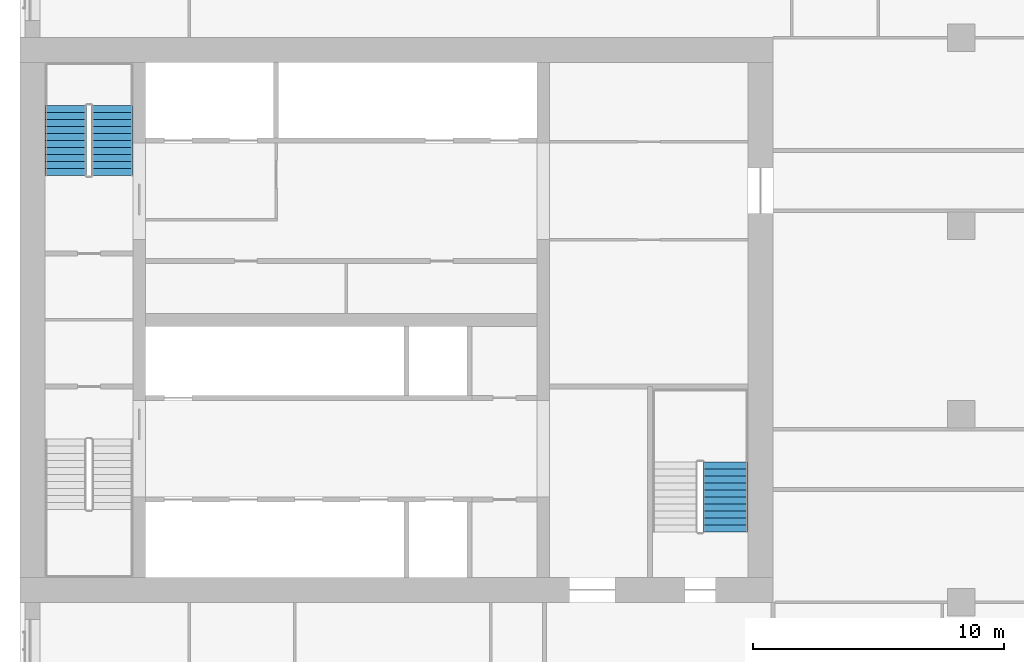
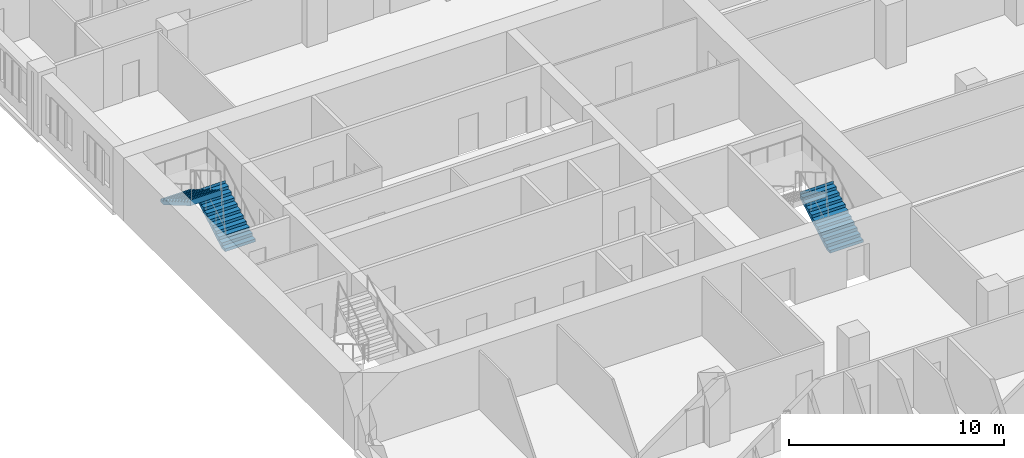
# One storey, part 13 of 14: 3 stair flights, 2 elements without a shape of their own.
"""IFC4 building model written with IfcOpenShell, lengths in metres."""

from ifc_helpers import new_model, si_unit, direction, frame, origin, place, context, subcontext, project, spatial, polyline, outline, extrude, material, type_object, element, aggregate, save


model = new_model("IFC4")

# Units and contexts
model_context = context("Model", 3, precision=1e-05, world=origin(), true_north=direction((0.0, 1.0)))
body_context = subcontext(model_context, "Body", "Model", "MODEL_VIEW")
ifc_project = project(units=[si_unit("LENGTHUNIT", "METRE"), si_unit("AREAUNIT", "SQUARE_METRE"), si_unit("VOLUMEUNIT", "CUBIC_METRE"), si_unit("PLANEANGLEUNIT", "RADIAN"), si_unit("MASSUNIT", "GRAM", prefix="KILO")], contexts=[model_context])

# Site, building, storey
site_placement = place(None, origin())
site = spatial("IfcSite", under=ifc_project, at=site_placement, CompositionType="ELEMENT")
building_placement = place(site_placement, origin())
building = spatial("IfcBuilding", under=site, at=building_placement, Name="Tamorin Gate", CompositionType="ELEMENT")
storey_placement = place(building_placement, frame((0.0, 0.0, 104.300048828125)))
storey = spatial("IfcBuildingStorey", under=building, at=storey_placement, Name="L25", CompositionType="ELEMENT", Elevation=104.300048828125)

# Stair, stair flights
ifc_material = material(Name="Concrete C40/50", Category="concrete")
stair_type = type_object("IfcStairType", Name="Exit stair", PredefinedType="HALF_TURN_STAIR", material=ifc_material)
stair_1_placement = place(storey_placement, origin())
stair_1 = element("IfcStair", 1, at=stair_1_placement, inside=storey, type_object=stair_type, Name="L25 stair ST2", PredefinedType="HALF_TURN_STAIR")
stair_flight_type = type_object("IfcStairFlightType", Name="Exit stair flight", PredefinedType="STRAIGHT", material=ifc_material)
stair_flight_1_placement = place(storey_placement, frame((33.675048828125, 77.0, 0.0), z_axis=(0.0, 0.0, 1.0), x_axis=(0.0, 1.0, 0.0)))
stair_flight_1 = element("IfcStairFlight", 2, at=stair_flight_1_placement, type_object=stair_flight_type, Name="ST2 flight 1", NumberOfRisers=11, NumberOfTreads=10, PredefinedType="STRAIGHT", RiserHeight=0.163636364, TreadLength=0.28, context=body_context, shape_type="SweptSolid", body=[
    extrude(outline(polyline([(-0.00048828125, 0.0), (-0.00048828125, 0.001708984375), (-0.00048828125, 0.003173828125), (-0.00048828125, 0.0048828125), (-0.00048828125, 0.006591796875), (-0.00048828125, 0.008056640625), (-0.00048828125, 0.009765625), (-0.00048828125, 0.01123046875), (-0.00048828125, 0.012939453125), (-0.00048828125, 0.0146484375), (-0.00048828125, 0.01611328125), (-0.00048828125, 0.017822265625), (-0.00048828125, 0.01953125), (-0.00048828125, 0.02099609375), (-0.00048828125, 0.022705078125), (-0.00048828125, 0.0244140625), (-0.00048828125, 0.02587890625), (-0.00048828125, 0.027587890625), (-0.00048828125, 0.029052734375), (-0.00048828125, 0.03076171875), (-0.00048828125, 0.032470703125), (-0.00048828125, 0.033935546875), (-0.00048828125, 0.03564453125), (-0.00048828125, 0.037353515625), (-0.00048828125, 0.038818359375), (-0.00048828125, 0.04052734375), (-0.00048828125, 0.042236328125), (-0.00048828125, 0.043701171875), (-0.00048828125, 0.04541015625), (-0.00048828125, 0.046875), (-0.00048828125, 0.048583984375), (-0.00048828125, 0.05029296875), (-0.00048828125, 0.0517578125), (-0.00048828125, 0.053466796875), (-0.00048828125, 0.05517578125), (-0.00048828125, 0.056640625), (-0.00048828125, 0.058349609375), (-0.00048828125, 0.06005859375), (-0.00048828125, 0.0615234375), (-0.00048828125, 0.063232421875), (-0.00048828125, 0.064697265625), (-0.00048828125, 0.06640625), (-0.00048828125, 0.068115234375), (-0.00048828125, 0.069580078125), (-0.00048828125, 0.0712890625), (-0.00048828125, 0.072998046875), (-0.00048828125, 0.074462890625), (-0.00048828125, 0.076171875), (-0.00048828125, 0.077880859375), (-0.00048828125, 0.079345703125), (-0.00048828125, 0.0810546875), (-0.00048828125, 0.08251953125), (-0.00048828125, 0.084228515625), (-0.00048828125, 0.0859375), (-0.00048828125, 0.08740234375), (-0.00048828125, 0.089111328125), (-0.00048828125, 0.0908203125), (-0.00048828125, 0.09228515625), (-0.00048828125, 0.093994140625), (-0.00048828125, 0.095703125), (-0.00048828125, 0.09716796875), (-0.00048828125, 0.098876953125), (-0.00048828125, 0.100341796875), (-0.00048828125, 0.10205078125), (-0.00048828125, 0.103759765625), (-0.00048828125, 0.105224609375), (-0.00048828125, 0.10693359375), (-0.00048828125, 0.108642578125), (-0.00048828125, 0.110107421875), (-0.00048828125, 0.11181640625), (-0.00048828125, 0.113525390625), (-0.00048828125, 0.114990234375), (-0.00048828125, 0.11669921875), (-0.00048828125, 0.1181640625), (-0.00048828125, 0.119873046875), (-0.00048828125, 0.12158203125), (-0.00048828125, 0.123046875), (-0.00048828125, 0.124755859375), (-0.00048828125, 0.12646484375), (-0.00048828125, 0.1279296875), (-0.00048828125, 0.129638671875), (-0.00048828125, 0.13134765625), (-0.00048828125, 0.1328125), (-0.00048828125, 0.134521484375), (-0.00048828125, 0.135986328125), (-0.00048828125, 0.1376953125), (-0.00048828125, 0.139404296875), (-0.00048828125, 0.140869140625), (-0.00048828125, 0.142578125), (-0.00048828125, 0.144287109375), (-0.00048828125, 0.145751953125), (-0.00048828125, 0.1474609375), (-0.00048828125, 0.149169921875), (-0.00048828125, 0.150634765625), (-0.00048828125, 0.15234375), (-0.00048828125, 0.15380859375), (-0.00048828125, 0.155517578125), (-0.00048828125, 0.1572265625), (-0.00048828125, 0.15869140625), (-0.00048828125, 0.160400390625), (-0.00048828125, 0.162109375), (-0.00048828125, 0.16357421875), (0.280029296875, 0.16357421875), (0.280029296875, 0.327392578125), (0.56005859375, 0.327392578125), (0.56005859375, 0.490966796875), (0.840087890625, 0.490966796875), (0.840087890625, 0.654541015625), (1.1201171875, 0.654541015625), (1.1201171875, 0.818115234375), (1.39990234375, 0.818115234375), (1.39990234375, 0.98193359375), (1.679931640625, 0.98193359375), (1.679931640625, 1.1455078125), (1.9599609375, 1.1455078125), (1.9599609375, 1.30908203125), (2.239990234375, 1.30908203125), (2.239990234375, 1.47265625), (2.52001953125, 1.47265625), (2.52001953125, 1.636474609375), (2.800048828125, 1.636474609375), (2.800048828125, 1.800048828125), (2.800537109375, 1.800048828125), (2.800537109375, 1.796630859375), (2.800537109375, 1.793212890625), (2.800537109375, 1.7900390625), (2.800537109375, 1.78662109375), (2.800537109375, 1.783203125), (2.800537109375, 1.780029296875), (2.800537109375, 1.776611328125), (2.800537109375, 1.773193359375), (2.800537109375, 1.77001953125), (2.800537109375, 1.7666015625), (2.800537109375, 1.76318359375), (2.800537109375, 1.760009765625), (2.800537109375, 1.756591796875), (2.800537109375, 1.753173828125), (2.800537109375, 1.75), (2.800537109375, 1.74658203125), (2.800537109375, 1.7431640625), (2.800537109375, 1.739990234375), (2.800537109375, 1.736572265625), (2.800537109375, 1.733154296875), (2.800537109375, 1.72998046875), (2.800537109375, 1.7265625), (2.800537109375, 1.72314453125), (2.800537109375, 1.719970703125), (2.800537109375, 1.716552734375), (2.800537109375, 1.713134765625), (2.800537109375, 1.7099609375), (2.800537109375, 1.70654296875), (2.800537109375, 1.703125), (2.800537109375, 1.69970703125), (2.800537109375, 1.696533203125), (2.800537109375, 1.693115234375), (2.800537109375, 1.689697265625), (2.800537109375, 1.6865234375), (2.800537109375, 1.68310546875), (2.800537109375, 1.6796875), (2.800537109375, 1.676513671875), (2.800537109375, 1.673095703125), (2.800537109375, 1.669677734375), (2.800537109375, 1.66650390625), (2.800537109375, 1.6630859375), (2.800537109375, 1.65966796875), (2.800537109375, 1.656494140625), (2.800537109375, 1.653076171875), (2.800537109375, 1.649658203125), (2.800537109375, 1.646484375), (2.800537109375, 1.64306640625), (2.800537109375, 1.6396484375), (2.800537109375, 1.636474609375), (2.800537109375, 1.633056640625), (2.800537109375, 1.629638671875), (2.800537109375, 1.62646484375), (2.800537109375, 1.623046875), (2.800537109375, 1.61962890625), (2.800537109375, 1.616455078125), (2.800537109375, 1.613037109375), (2.800537109375, 1.609619140625), (2.800537109375, 1.6064453125), (2.800537109375, 1.60302734375), (2.800537109375, 1.599609375), (2.800537109375, 1.59619140625), (2.800537109375, 1.593017578125), (2.800537109375, 1.589599609375), (2.800537109375, 1.586181640625), (2.800537109375, 1.5830078125), (2.800537109375, 1.57958984375), (2.800537109375, 1.576171875), (2.800537109375, 1.572998046875), (2.800537109375, 1.569580078125), (2.800537109375, 1.566162109375), (2.800537109375, 1.56298828125), (2.800537109375, 1.5595703125), (2.800537109375, 1.55615234375), (2.800537109375, 1.552978515625), (2.800537109375, 1.549560546875), (2.800537109375, 1.546142578125), (2.800537109375, 1.54296875), (2.800537109375, 1.53955078125), (2.800537109375, 1.5361328125), (2.800537109375, 1.532958984375), (2.800537109375, 1.529541015625), (2.800537109375, 1.526123046875), (2.800537109375, 1.52294921875), (2.800537109375, 1.51953125), (2.800537109375, 1.51611328125), (2.800537109375, 1.512939453125), (2.800537109375, 1.509521484375), (2.800537109375, 1.506103515625), (2.800537109375, 1.5029296875), (2.800537109375, 1.49951171875), (2.800537109375, 1.49609375), (2.800537109375, 1.49267578125), (2.800537109375, 1.489501953125), (2.800537109375, 1.486083984375), (2.800537109375, 1.482666015625), (2.800537109375, 1.4794921875), (2.800537109375, 1.47607421875), (2.800537109375, 1.47265625), (2.800537109375, 1.469482421875), (2.800537109375, 1.466064453125), (2.800537109375, 1.462646484375), (2.800048828125, 1.462646484375), (0.297119140625, 0.0), (-0.00048828125, 0.0)])), frame((0.0, 0.824951171875, 0.0), z_axis=(0.0, -1.0, 0.0), x_axis=(1.0, 0.0, 0.0)), (0.0, 0.0, 1.0), 1.64990234375),
])
stair_flight_2_placement = place(storey_placement, frame((31.824951171875, 79.800048828125, 1.800048828125), z_axis=(0.0, 0.0, 1.0), x_axis=(0.0, -1.0, 0.0)))
stair_flight_2 = element("IfcStairFlight", 3, at=stair_flight_2_placement, type_object=stair_flight_type, Name="ST2 flight 2", NumberOfRisers=11, NumberOfTreads=10, PredefinedType="STRAIGHT", RiserHeight=0.163636364, TreadLength=0.28, context=body_context, shape_type="SweptSolid", body=[
    extrude(outline(polyline([(-0.00048828125, 0.0), (-0.00048828125, 0.001708984375), (-0.00048828125, 0.003173828125), (-0.00048828125, 0.0048828125), (-0.00048828125, 0.006591796875), (-0.00048828125, 0.008056640625), (-0.00048828125, 0.009765625), (-0.00048828125, 0.01123046875), (-0.00048828125, 0.012939453125), (-0.00048828125, 0.0146484375), (-0.00048828125, 0.01611328125), (-0.00048828125, 0.017822265625), (-0.00048828125, 0.01953125), (-0.00048828125, 0.02099609375), (-0.00048828125, 0.022705078125), (-0.00048828125, 0.0244140625), (-0.00048828125, 0.02587890625), (-0.00048828125, 0.027587890625), (-0.00048828125, 0.029052734375), (-0.00048828125, 0.03076171875), (-0.00048828125, 0.032470703125), (-0.00048828125, 0.033935546875), (-0.00048828125, 0.03564453125), (-0.00048828125, 0.037353515625), (-0.00048828125, 0.038818359375), (-0.00048828125, 0.04052734375), (-0.00048828125, 0.042236328125), (-0.00048828125, 0.043701171875), (-0.00048828125, 0.04541015625), (-0.00048828125, 0.046875), (-0.00048828125, 0.048583984375), (-0.00048828125, 0.05029296875), (-0.00048828125, 0.0517578125), (-0.00048828125, 0.053466796875), (-0.00048828125, 0.05517578125), (-0.00048828125, 0.056640625), (-0.00048828125, 0.058349609375), (-0.00048828125, 0.06005859375), (-0.00048828125, 0.0615234375), (-0.00048828125, 0.063232421875), (-0.00048828125, 0.064697265625), (-0.00048828125, 0.06640625), (-0.00048828125, 0.068115234375), (-0.00048828125, 0.069580078125), (-0.00048828125, 0.0712890625), (-0.00048828125, 0.072998046875), (-0.00048828125, 0.074462890625), (-0.00048828125, 0.076171875), (-0.00048828125, 0.077880859375), (-0.00048828125, 0.079345703125), (-0.00048828125, 0.0810546875), (-0.00048828125, 0.08251953125), (-0.00048828125, 0.084228515625), (-0.00048828125, 0.0859375), (-0.00048828125, 0.08740234375), (-0.00048828125, 0.089111328125), (-0.00048828125, 0.0908203125), (-0.00048828125, 0.09228515625), (-0.00048828125, 0.093994140625), (-0.00048828125, 0.095703125), (-0.00048828125, 0.09716796875), (-0.00048828125, 0.098876953125), (-0.00048828125, 0.100341796875), (-0.00048828125, 0.10205078125), (-0.00048828125, 0.103759765625), (-0.00048828125, 0.105224609375), (-0.00048828125, 0.10693359375), (-0.00048828125, 0.108642578125), (-0.00048828125, 0.110107421875), (-0.00048828125, 0.11181640625), (-0.00048828125, 0.113525390625), (-0.00048828125, 0.114990234375), (-0.00048828125, 0.11669921875), (-0.00048828125, 0.1181640625), (-0.00048828125, 0.119873046875), (-0.00048828125, 0.12158203125), (-0.00048828125, 0.123046875), (-0.00048828125, 0.124755859375), (-0.00048828125, 0.12646484375), (-0.00048828125, 0.1279296875), (-0.00048828125, 0.129638671875), (-0.00048828125, 0.13134765625), (-0.00048828125, 0.1328125), (-0.00048828125, 0.134521484375), (-0.00048828125, 0.135986328125), (-0.00048828125, 0.1376953125), (-0.00048828125, 0.139404296875), (-0.00048828125, 0.140869140625), (-0.00048828125, 0.142578125), (-0.00048828125, 0.144287109375), (-0.00048828125, 0.145751953125), (-0.00048828125, 0.1474609375), (-0.00048828125, 0.149169921875), (-0.00048828125, 0.150634765625), (-0.00048828125, 0.15234375), (-0.00048828125, 0.15380859375), (-0.00048828125, 0.155517578125), (-0.00048828125, 0.1572265625), (-0.00048828125, 0.15869140625), (-0.00048828125, 0.160400390625), (-0.00048828125, 0.162109375), (-0.00048828125, 0.16357421875), (0.280029296875, 0.16357421875), (0.280029296875, 0.327392578125), (0.56005859375, 0.327392578125), (0.56005859375, 0.490966796875), (0.840087890625, 0.490966796875), (0.840087890625, 0.654541015625), (1.1201171875, 0.654541015625), (1.1201171875, 0.818115234375), (1.39990234375, 0.818115234375), (1.39990234375, 0.98193359375), (1.679931640625, 0.98193359375), (1.679931640625, 1.1455078125), (1.9599609375, 1.1455078125), (1.9599609375, 1.30908203125), (2.239990234375, 1.30908203125), (2.239990234375, 1.47265625), (2.52001953125, 1.47265625), (2.52001953125, 1.636474609375), (2.800048828125, 1.636474609375), (2.800048828125, 1.800048828125), (2.800537109375, 1.800048828125), (2.800537109375, 1.796630859375), (2.800537109375, 1.793212890625), (2.800537109375, 1.7900390625), (2.800537109375, 1.78662109375), (2.800537109375, 1.783203125), (2.800537109375, 1.780029296875), (2.800537109375, 1.776611328125), (2.800537109375, 1.773193359375), (2.800537109375, 1.77001953125), (2.800537109375, 1.7666015625), (2.800537109375, 1.76318359375), (2.800537109375, 1.760009765625), (2.800537109375, 1.756591796875), (2.800537109375, 1.753173828125), (2.800537109375, 1.75), (2.800537109375, 1.74658203125), (2.800537109375, 1.7431640625), (2.800537109375, 1.739990234375), (2.800537109375, 1.736572265625), (2.800537109375, 1.733154296875), (2.800537109375, 1.72998046875), (2.800537109375, 1.7265625), (2.800537109375, 1.72314453125), (2.800537109375, 1.719970703125), (2.800537109375, 1.716552734375), (2.800537109375, 1.713134765625), (2.800537109375, 1.7099609375), (2.800537109375, 1.70654296875), (2.800537109375, 1.703125), (2.800537109375, 1.69970703125), (2.800537109375, 1.696533203125), (2.800537109375, 1.693115234375), (2.800537109375, 1.689697265625), (2.800537109375, 1.6865234375), (2.800537109375, 1.68310546875), (2.800537109375, 1.6796875), (2.800537109375, 1.676513671875), (2.800537109375, 1.673095703125), (2.800537109375, 1.669677734375), (2.800537109375, 1.66650390625), (2.800537109375, 1.6630859375), (2.800537109375, 1.65966796875), (2.800537109375, 1.656494140625), (2.800537109375, 1.653076171875), (2.800537109375, 1.649658203125), (2.800537109375, 1.646484375), (2.800537109375, 1.64306640625), (2.800537109375, 1.6396484375), (2.800537109375, 1.636474609375), (2.800537109375, 1.633056640625), (2.800537109375, 1.629638671875), (2.800537109375, 1.62646484375), (2.800537109375, 1.623046875), (2.800537109375, 1.61962890625), (2.800537109375, 1.616455078125), (2.800537109375, 1.613037109375), (2.800537109375, 1.609619140625), (2.800537109375, 1.6064453125), (2.800537109375, 1.60302734375), (2.800537109375, 1.599609375), (2.800537109375, 1.59619140625), (2.800537109375, 1.593017578125), (2.800537109375, 1.589599609375), (2.800537109375, 1.586181640625), (2.800537109375, 1.5830078125), (2.800537109375, 1.57958984375), (2.800537109375, 1.576171875), (2.800537109375, 1.572998046875), (2.800537109375, 1.569580078125), (2.800537109375, 1.566162109375), (2.800537109375, 1.56298828125), (2.800537109375, 1.5595703125), (2.800537109375, 1.55615234375), (2.800537109375, 1.552978515625), (2.800537109375, 1.549560546875), (2.800537109375, 1.546142578125), (2.800537109375, 1.54296875), (2.800537109375, 1.53955078125), (2.800537109375, 1.5361328125), (2.800537109375, 1.532958984375), (2.800537109375, 1.529541015625), (2.800537109375, 1.526123046875), (2.800537109375, 1.52294921875), (2.800537109375, 1.51953125), (2.800537109375, 1.51611328125), (2.800537109375, 1.512939453125), (2.800537109375, 1.509521484375), (2.800537109375, 1.506103515625), (2.800537109375, 1.5029296875), (2.800537109375, 1.49951171875), (2.800537109375, 1.49609375), (2.800537109375, 1.49267578125), (2.800537109375, 1.489501953125), (2.800537109375, 1.486083984375), (2.800537109375, 1.482666015625), (2.800537109375, 1.4794921875), (2.800537109375, 1.47607421875), (2.800537109375, 1.47265625), (2.800537109375, 1.469482421875), (2.800537109375, 1.466064453125), (2.800537109375, 1.462646484375), (2.800048828125, 1.462646484375), (0.297119140625, 0.0), (-0.00048828125, 0.0)])), frame((0.0, 0.824951171875, 0.0), z_axis=(0.0, -1.0, 0.0), x_axis=(1.0, 0.0, 0.0)), (0.0, 0.0, 1.0), 1.64990234375),
])
aggregate(stair_1, [stair_flight_1, stair_flight_2])

# Stair, stair flight
stair_2_placement = place(storey_placement, origin())
stair_2 = element("IfcStair", 4, at=stair_2_placement, inside=storey, type_object=stair_type, Name="L25 stair ST3", PredefinedType="HALF_TURN_STAIR")
stair_flight_3_placement = place(storey_placement, frame((58.10009765625, 62.800048828125, 0.0), z_axis=(0.0, 0.0, 1.0), x_axis=(0.0, 1.0, 0.0)))
stair_flight_3 = element("IfcStairFlight", 5, at=stair_flight_3_placement, type_object=stair_flight_type, Name="ST3 flight 1", NumberOfRisers=11, NumberOfTreads=10, PredefinedType="STRAIGHT", RiserHeight=0.163636364, TreadLength=0.28, context=body_context, shape_type="SweptSolid", body=[
    extrude(outline(polyline([(-0.00048828125, 0.0), (-0.00048828125, 0.001708984375), (-0.00048828125, 0.003173828125), (-0.00048828125, 0.0048828125), (-0.00048828125, 0.006591796875), (-0.00048828125, 0.008056640625), (-0.00048828125, 0.009765625), (-0.00048828125, 0.01123046875), (-0.00048828125, 0.012939453125), (-0.00048828125, 0.0146484375), (-0.00048828125, 0.01611328125), (-0.00048828125, 0.017822265625), (-0.00048828125, 0.01953125), (-0.00048828125, 0.02099609375), (-0.00048828125, 0.022705078125), (-0.00048828125, 0.0244140625), (-0.00048828125, 0.02587890625), (-0.00048828125, 0.027587890625), (-0.00048828125, 0.029052734375), (-0.00048828125, 0.03076171875), (-0.00048828125, 0.032470703125), (-0.00048828125, 0.033935546875), (-0.00048828125, 0.03564453125), (-0.00048828125, 0.037353515625), (-0.00048828125, 0.038818359375), (-0.00048828125, 0.04052734375), (-0.00048828125, 0.042236328125), (-0.00048828125, 0.043701171875), (-0.00048828125, 0.04541015625), (-0.00048828125, 0.046875), (-0.00048828125, 0.048583984375), (-0.00048828125, 0.05029296875), (-0.00048828125, 0.0517578125), (-0.00048828125, 0.053466796875), (-0.00048828125, 0.05517578125), (-0.00048828125, 0.056640625), (-0.00048828125, 0.058349609375), (-0.00048828125, 0.06005859375), (-0.00048828125, 0.0615234375), (-0.00048828125, 0.063232421875), (-0.00048828125, 0.064697265625), (-0.00048828125, 0.06640625), (-0.00048828125, 0.068115234375), (-0.00048828125, 0.069580078125), (-0.00048828125, 0.0712890625), (-0.00048828125, 0.072998046875), (-0.00048828125, 0.074462890625), (-0.00048828125, 0.076171875), (-0.00048828125, 0.077880859375), (-0.00048828125, 0.079345703125), (-0.00048828125, 0.0810546875), (-0.00048828125, 0.08251953125), (-0.00048828125, 0.084228515625), (-0.00048828125, 0.0859375), (-0.00048828125, 0.08740234375), (-0.00048828125, 0.089111328125), (-0.00048828125, 0.0908203125), (-0.00048828125, 0.09228515625), (-0.00048828125, 0.093994140625), (-0.00048828125, 0.095703125), (-0.00048828125, 0.09716796875), (-0.00048828125, 0.098876953125), (-0.00048828125, 0.100341796875), (-0.00048828125, 0.10205078125), (-0.00048828125, 0.103759765625), (-0.00048828125, 0.105224609375), (-0.00048828125, 0.10693359375), (-0.00048828125, 0.108642578125), (-0.00048828125, 0.110107421875), (-0.00048828125, 0.11181640625), (-0.00048828125, 0.113525390625), (-0.00048828125, 0.114990234375), (-0.00048828125, 0.11669921875), (-0.00048828125, 0.1181640625), (-0.00048828125, 0.119873046875), (-0.00048828125, 0.12158203125), (-0.00048828125, 0.123046875), (-0.00048828125, 0.124755859375), (-0.00048828125, 0.12646484375), (-0.00048828125, 0.1279296875), (-0.00048828125, 0.129638671875), (-0.00048828125, 0.13134765625), (-0.00048828125, 0.1328125), (-0.00048828125, 0.134521484375), (-0.00048828125, 0.135986328125), (-0.00048828125, 0.1376953125), (-0.00048828125, 0.139404296875), (-0.00048828125, 0.140869140625), (-0.00048828125, 0.142578125), (-0.00048828125, 0.144287109375), (-0.00048828125, 0.145751953125), (-0.00048828125, 0.1474609375), (-0.00048828125, 0.149169921875), (-0.00048828125, 0.150634765625), (-0.00048828125, 0.15234375), (-0.00048828125, 0.15380859375), (-0.00048828125, 0.155517578125), (-0.00048828125, 0.1572265625), (-0.00048828125, 0.15869140625), (-0.00048828125, 0.160400390625), (-0.00048828125, 0.162109375), (-0.00048828125, 0.16357421875), (0.280029296875, 0.16357421875), (0.280029296875, 0.327392578125), (0.56005859375, 0.327392578125), (0.56005859375, 0.490966796875), (0.840087890625, 0.490966796875), (0.840087890625, 0.654541015625), (1.1201171875, 0.654541015625), (1.1201171875, 0.818115234375), (1.39990234375, 0.818115234375), (1.39990234375, 0.98193359375), (1.679931640625, 0.98193359375), (1.679931640625, 1.1455078125), (1.9599609375, 1.1455078125), (1.9599609375, 1.30908203125), (2.239990234375, 1.30908203125), (2.239990234375, 1.47265625), (2.52001953125, 1.47265625), (2.52001953125, 1.636474609375), (2.800048828125, 1.636474609375), (2.800048828125, 1.800048828125), (2.800537109375, 1.800048828125), (2.800537109375, 1.796630859375), (2.800537109375, 1.793212890625), (2.800537109375, 1.7900390625), (2.800537109375, 1.78662109375), (2.800537109375, 1.783203125), (2.800537109375, 1.780029296875), (2.800537109375, 1.776611328125), (2.800537109375, 1.773193359375), (2.800537109375, 1.77001953125), (2.800537109375, 1.7666015625), (2.800537109375, 1.76318359375), (2.800537109375, 1.760009765625), (2.800537109375, 1.756591796875), (2.800537109375, 1.753173828125), (2.800537109375, 1.75), (2.800537109375, 1.74658203125), (2.800537109375, 1.7431640625), (2.800537109375, 1.739990234375), (2.800537109375, 1.736572265625), (2.800537109375, 1.733154296875), (2.800537109375, 1.72998046875), (2.800537109375, 1.7265625), (2.800537109375, 1.72314453125), (2.800537109375, 1.719970703125), (2.800537109375, 1.716552734375), (2.800537109375, 1.713134765625), (2.800537109375, 1.7099609375), (2.800537109375, 1.70654296875), (2.800537109375, 1.703125), (2.800537109375, 1.69970703125), (2.800537109375, 1.696533203125), (2.800537109375, 1.693115234375), (2.800537109375, 1.689697265625), (2.800537109375, 1.6865234375), (2.800537109375, 1.68310546875), (2.800537109375, 1.6796875), (2.800537109375, 1.676513671875), (2.800537109375, 1.673095703125), (2.800537109375, 1.669677734375), (2.800537109375, 1.66650390625), (2.800537109375, 1.6630859375), (2.800537109375, 1.65966796875), (2.800537109375, 1.656494140625), (2.800537109375, 1.653076171875), (2.800537109375, 1.649658203125), (2.800537109375, 1.646484375), (2.800537109375, 1.64306640625), (2.800537109375, 1.6396484375), (2.800537109375, 1.636474609375), (2.800537109375, 1.633056640625), (2.800537109375, 1.629638671875), (2.800537109375, 1.62646484375), (2.800537109375, 1.623046875), (2.800537109375, 1.61962890625), (2.800537109375, 1.616455078125), (2.800537109375, 1.613037109375), (2.800537109375, 1.609619140625), (2.800537109375, 1.6064453125), (2.800537109375, 1.60302734375), (2.800537109375, 1.599609375), (2.800537109375, 1.59619140625), (2.800537109375, 1.593017578125), (2.800537109375, 1.589599609375), (2.800537109375, 1.586181640625), (2.800537109375, 1.5830078125), (2.800537109375, 1.57958984375), (2.800537109375, 1.576171875), (2.800537109375, 1.572998046875), (2.800537109375, 1.569580078125), (2.800537109375, 1.566162109375), (2.800537109375, 1.56298828125), (2.800537109375, 1.5595703125), (2.800537109375, 1.55615234375), (2.800537109375, 1.552978515625), (2.800537109375, 1.549560546875), (2.800537109375, 1.546142578125), (2.800537109375, 1.54296875), (2.800537109375, 1.53955078125), (2.800537109375, 1.5361328125), (2.800537109375, 1.532958984375), (2.800537109375, 1.529541015625), (2.800537109375, 1.526123046875), (2.800537109375, 1.52294921875), (2.800537109375, 1.51953125), (2.800537109375, 1.51611328125), (2.800537109375, 1.512939453125), (2.800537109375, 1.509521484375), (2.800537109375, 1.506103515625), (2.800537109375, 1.5029296875), (2.800537109375, 1.49951171875), (2.800537109375, 1.49609375), (2.800537109375, 1.49267578125), (2.800537109375, 1.489501953125), (2.800537109375, 1.486083984375), (2.800537109375, 1.482666015625), (2.800537109375, 1.4794921875), (2.800537109375, 1.47607421875), (2.800537109375, 1.47265625), (2.800537109375, 1.469482421875), (2.800537109375, 1.466064453125), (2.800537109375, 1.462646484375), (2.800048828125, 1.462646484375), (0.297119140625, 0.0), (-0.00048828125, 0.0)])), frame((0.0, 0.89990234375, 0.0), z_axis=(0.0, -1.0, 0.0), x_axis=(1.0, 0.0, 0.0)), (0.0, 0.0, 1.0), 1.800048828125),
])
aggregate(stair_2, [stair_flight_3])

save(model, "model.ifc")
